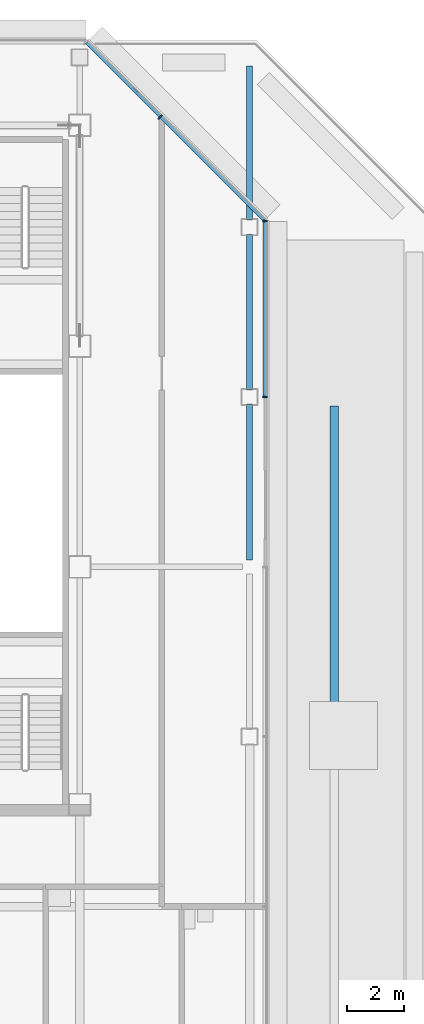
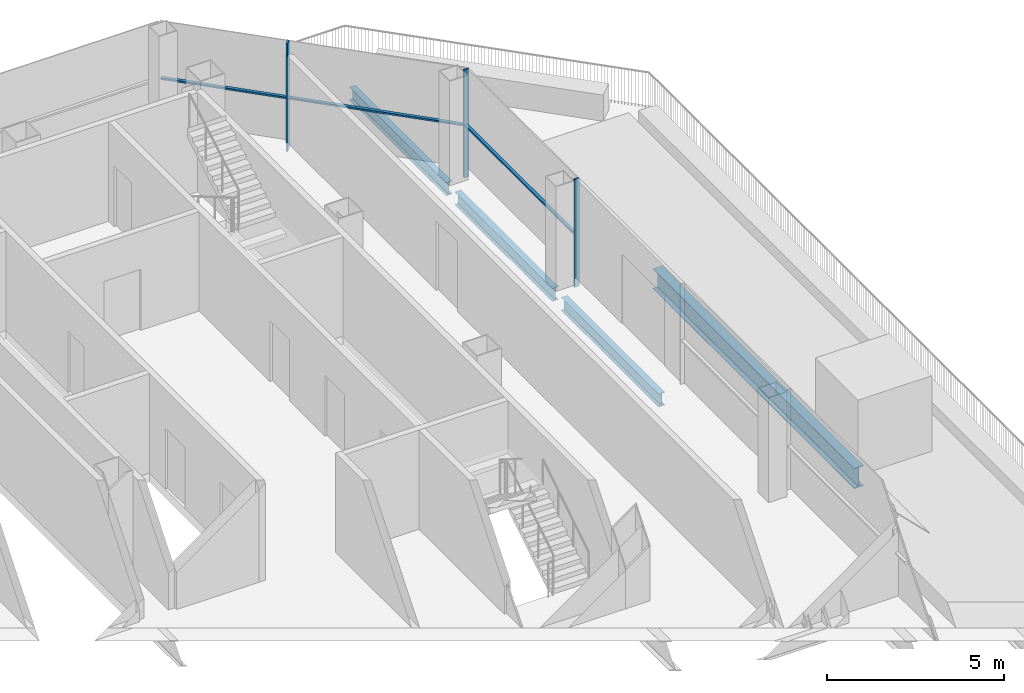
# One storey, part 16 of 28: 5 members, 4 beams, 2 elements without a shape of their own.
"""IFC4 building model written with IfcOpenShell, lengths in metres."""

from ifc_helpers import new_model, si_unit, direction, frame, origin, origin_2d, place, context, subcontext, project, spatial, rectangle, i_section, extrude, material, material_profile, profile_set, type_object, element, aggregate, save


model = new_model("IFC4")

# Units and contexts
model_context = context("Model", 3, precision=1e-05, world=origin(), true_north=direction((0.0, 1.0)))
body_context = subcontext(model_context, "Body", "Model", "MODEL_VIEW")
ifc_project = project(units=[si_unit("LENGTHUNIT", "METRE"), si_unit("AREAUNIT", "SQUARE_METRE"), si_unit("VOLUMEUNIT", "CUBIC_METRE"), si_unit("PLANEANGLEUNIT", "RADIAN"), si_unit("MASSUNIT", "GRAM", prefix="KILO")], contexts=[model_context])

# Site, building, storey
site_placement = place(None, origin())
site = spatial("IfcSite", under=ifc_project, at=site_placement, CompositionType="ELEMENT")
building_placement = place(site_placement, origin())
building = spatial("IfcBuilding", under=site, at=building_placement, Name="Sorahane Residences", CompositionType="ELEMENT")
storey_placement = place(building_placement, frame((0.0, 0.0, 290.800048828125)))
storey = spatial("IfcBuildingStorey", under=building, at=storey_placement, Name="L68", CompositionType="ELEMENT", Elevation=290.800048828125)

# Curtain wall, members
ifc_material_1 = material(Name="Dark low-e glass and black anodised aluminium", Category="aluminium")
curtain_wall_type_1 = type_object("IfcCurtainWallType", Name="Curtain wall CW-1 Typical unitised wall", PredefinedType="NOTDEFINED", material=ifc_material_1)
curtain_wall_1_placement = place(storey_placement, origin())
curtain_wall_1 = element("IfcCurtainWall", 1, at=curtain_wall_1_placement, inside=storey, type_object=curtain_wall_type_1, Name="CW-1 curtain wall L68 E1", PredefinedType="NOTDEFINED")
ifc_material_2 = material(Name="Black anodised aluminium", Category="aluminium")
ifc_material_profile_1 = material_profile(ifc_material_2, rectangle(XDim=0.159912109375, YDim=0.050048828125, at=origin_2d()), Name="Curtain wall mullion CW-1 black anodised aluminium 50x160")
ifc_profile_set_1 = profile_set([ifc_material_profile_1], Name="Black anodised aluminium")
member_type_1 = type_object("IfcMemberType", Name="Curtain wall mullion CW-1 black anodised aluminium 50x160", PredefinedType="MULLION", material=ifc_profile_set_1)
member_1_placement = place(storey_placement, frame((48.5400390625, 36.0, -0.300048828125), z_axis=(0.0, 0.0, 1.0), x_axis=(1.0, 0.0, 0.0)))
member_1 = element("IfcMember", 2, at=member_1_placement, type_object=member_type_1, Name="CW-1 mullion L68 E1.6", PredefinedType="MULLION", context=body_context, shape_type="SweptSolid", body=[
    extrude(rectangle(XDim=0.159912109375, YDim=0.050048828125, at=origin_2d()), origin(), (0.0, 0.0, 1.0), 3.719970703125),
])
member_2_placement = place(storey_placement, frame((48.5400390625, 42.2236328125, -0.300048828125), z_axis=(0.0, 0.0, 1.0), x_axis=(1.0, 0.0, 0.0)))
member_2 = element("IfcMember", 3, at=member_2_placement, type_object=member_type_1, Name="CW-1 mullion L68 E1.7", PredefinedType="MULLION", context=body_context, shape_type="SweptSolid", body=[
    extrude(rectangle(XDim=0.159912109375, YDim=0.050048828125, at=origin_2d()), origin(), (0.0, 0.0, 1.0), 3.719970703125),
])

# Curtain wall, member
ifc_material_3 = material(Name="Dark low-e glass and black anodised aluminium", Category="aluminium")
curtain_wall_type_2 = type_object("IfcCurtainWallType", Name="Curtain wall CW-2 Chamfer unitised wall", PredefinedType="NOTDEFINED", material=ifc_material_3)
curtain_wall_2_placement = place(storey_placement, origin())
curtain_wall_2 = element("IfcCurtainWall", 4, at=curtain_wall_2_placement, inside=storey, type_object=curtain_wall_type_2, Name="CW-2 curtain wall L68 NE1", PredefinedType="NOTDEFINED")
ifc_material_4 = material(Name="Black anodised aluminium", Category="aluminium")
ifc_material_profile_2 = material_profile(ifc_material_4, rectangle(XDim=0.199951171875, YDim=0.050048828125, at=origin_2d()), Name="Curtain wall mullion CW-2 black anodised aluminium 50x200")
ifc_profile_set_2 = profile_set([ifc_material_profile_2], Name="Black anodised aluminium")
member_type_2 = type_object("IfcMemberType", Name="Curtain wall mullion CW-2 black anodised aluminium 50x200", PredefinedType="MULLION", material=ifc_profile_set_2)
member_3_placement = place(storey_placement, frame((44.84326171875, 45.89208984375, -0.300048828125), z_axis=(0.0, 0.0, 1.0), x_axis=(0.707106781187, 0.707106781187, 0.0)))
member_3 = element("IfcMember", 5, at=member_3_placement, type_object=member_type_2, Name="CW-2 mullion L68 NE1.2", PredefinedType="MULLION", context=body_context, shape_type="SweptSolid", body=[
    extrude(rectangle(XDim=0.199951171875, YDim=0.050048828125, at=origin_2d()), origin(), (0.0, 0.0, 1.0), 3.719970703125),
])

# Member
ifc_material_5 = material(Name="Black anodised aluminium", Category="aluminium")
ifc_material_profile_3 = material_profile(ifc_material_5, rectangle(XDim=0.10009765625, YDim=0.06005859375, at=origin_2d()), Name="Curtain wall transom CW-1 black anodised aluminium 60x100")
ifc_profile_set_3 = profile_set([ifc_material_profile_3], Name="Black anodised aluminium")
member_type_3 = type_object("IfcMemberType", Name="Curtain wall transom CW-1 black anodised aluminium 60x100", PredefinedType="USERDEFINED", material=ifc_profile_set_3)
member_4_placement = place(storey_placement, frame((48.530029296875, 36.02490234375, 1.5), z_axis=(0.0, 1.0, 0.0), x_axis=(-1.0, 0.0, 0.0)))
member_4 = element("IfcMember", 6, at=member_4_placement, type_object=member_type_3, Name="CW-1 transom L68 E1.2", ObjectType="TRANSOM", PredefinedType="USERDEFINED", context=body_context, shape_type="SweptSolid", body=[
    extrude(rectangle(XDim=0.10009765625, YDim=0.06005859375, at=origin_2d()), origin(), (0.0, 0.0, 1.0), 6.173583984375),
])

aggregate(curtain_wall_1, [member_1, member_2, member_4])

ifc_material_6 = material(Name="Black anodised aluminium", Category="aluminium")
ifc_material_profile_4 = material_profile(ifc_material_6, rectangle(XDim=0.10009765625, YDim=0.06005859375, at=origin_2d()), Name="Curtain wall transom CW-2 black anodised aluminium 60x100")
ifc_profile_set_4 = profile_set([ifc_material_profile_4], Name="Black anodised aluminium")
member_type_4 = type_object("IfcMemberType", Name="Curtain wall transom CW-2 black anodised aluminium 60x100", PredefinedType="USERDEFINED", material=ifc_profile_set_4)
member_5_placement = place(storey_placement, frame((48.51513671875, 42.234375, 1.5), z_axis=(-0.707106781187, 0.707106781187, 0.0), x_axis=(-0.707106781187, -0.707106781187, 0.0)))
member_5 = element("IfcMember", 7, at=member_5_placement, type_object=member_type_4, Name="CW-2 transom L68 NE1", ObjectType="TRANSOM", PredefinedType="USERDEFINED", context=body_context, shape_type="SweptSolid", body=[
    extrude(rectangle(XDim=0.10009765625, YDim=0.06005859375, at=origin_2d()), origin(), (0.0, 0.0, 1.0), 8.88232421875),
])

aggregate(curtain_wall_2, [member_3, member_5])

# Beams
ifc_material_7 = material(Name="Steel Q355B", Category="steel")
ifc_material_profile_5 = material_profile(ifc_material_7, i_section(OverallWidth=0.199951171875, OverallDepth=0.449951171875, WebThickness=0.009033203125, FlangeThickness=0.013916015625, FilletRadius=0.02001953125, at=origin_2d()), Name="HN 450x200x9x14")
ifc_profile_set_5 = profile_set([ifc_material_profile_5], Name="Steel Q355B")
beam_type_1 = type_object("IfcBeamType", Name="Steel floor beam HN 450x200x9x14 Q355B", PredefinedType="BEAM", material=ifc_profile_set_5)
for number, where, z_axis, x_axis, name in (
    (8, (48.0, 30.25, -0.525146484375), (0.0, 1.0, 0.0), (-1.0, 0.0, 0.0), "Beam L68 056"),
    (9, (48.0, 36.25, -0.525146484375), (0.0, 1.0, 0.0), (-1.0, 0.0, 0.0), "Beam L68 057"),
):
    element("IfcBeam", number, at=place(storey_placement, frame(where, z_axis=z_axis, x_axis=x_axis)), inside=storey, type_object=beam_type_1, Name=name, PredefinedType="BEAM", context=body_context, shape_type="SweptSolid", body=[
        extrude(i_section(OverallWidth=0.199951171875, OverallDepth=0.449951171875, WebThickness=0.009033203125, FlangeThickness=0.013916015625, FilletRadius=0.02001953125, at=origin_2d()), origin(), (0.0, 0.0, 1.0), 5.5),
    ])
beam_1_placement = place(storey_placement, frame((48.0, 42.25, -0.525146484375), z_axis=(0.0, 1.0, 0.0), x_axis=(-1.0, 0.0, 0.0)))
element("IfcBeam", 10, at=beam_1_placement, inside=storey, type_object=beam_type_1, Name="Beam L68 058", PredefinedType="BEAM", context=body_context, shape_type="SweptSolid", body=[
    extrude(i_section(OverallWidth=0.199951171875, OverallDepth=0.449951171875, WebThickness=0.009033203125, FlangeThickness=0.013916015625, FilletRadius=0.02001953125, at=origin_2d()), origin(), (0.0, 0.0, 1.0), 5.449951171875),
])
ifc_material_8 = material(Name="Steel Q355B", Category="steel")
ifc_material_profile_6 = material_profile(ifc_material_8, i_section(OverallWidth=0.300048828125, OverallDepth=0.699951171875, WebThickness=0.012939453125, FlangeThickness=0.02392578125, FilletRadius=0.028076171875, at=origin_2d()), Name="HN 700x300x13x24")
ifc_profile_set_6 = profile_set([ifc_material_profile_6], Name="Steel Q355B")
beam_type_2 = type_object("IfcBeamType", Name="Steel floor beam HN 700x300x13x24 Q355B", PredefinedType="BEAM", material=ifc_profile_set_6)
beam_2_placement = place(storey_placement, frame((51.0, 24.3251953125, -0.650146484375), z_axis=(0.0, 1.0, 0.0), x_axis=(-1.0, 0.0, 0.0)))
element("IfcBeam", 11, at=beam_2_placement, inside=storey, type_object=beam_type_2, Name="Beam L68 073", PredefinedType="BEAM", context=body_context, shape_type="SweptSolid", body=[
    extrude(i_section(OverallWidth=0.300048828125, OverallDepth=0.699951171875, WebThickness=0.012939453125, FlangeThickness=0.02392578125, FilletRadius=0.028076171875, at=origin_2d()), origin(), (0.0, 0.0, 1.0), 11.349609375),
])

save(model, "model.ifc")
